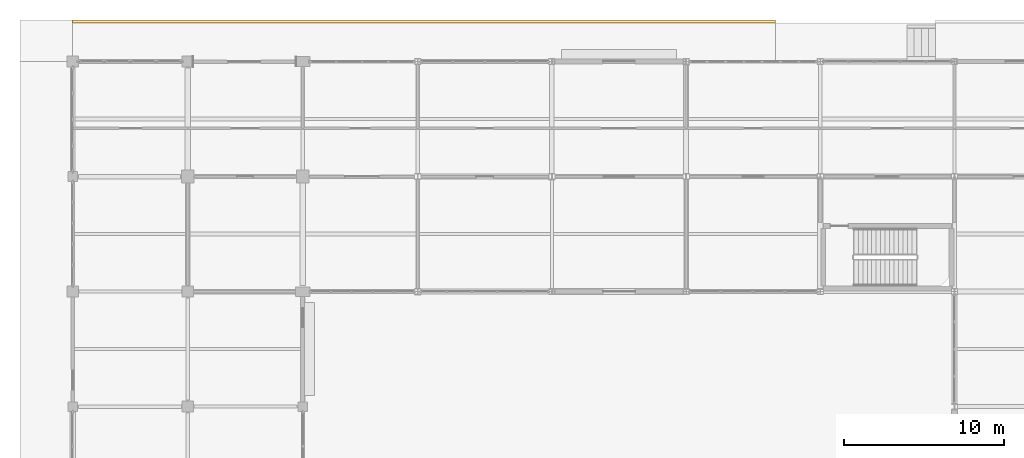
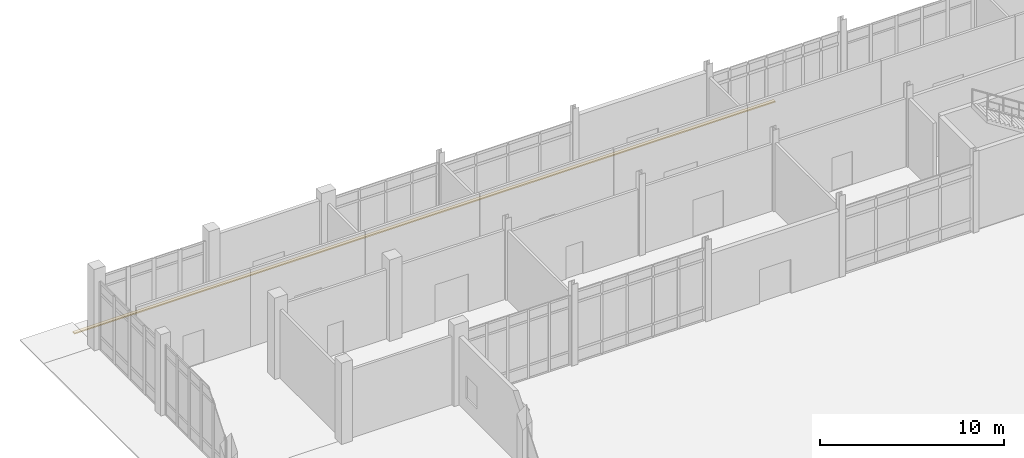
# One storey, part 217 of 229: 1 covering.
"""IFC4 building model written with IfcOpenShell, lengths in metres."""

from ifc_helpers import new_model, si_unit, direction, frame, origin, place, context, subcontext, project, spatial, polyline, outline, extrude, material, layer, layer_set, type_object, element, save


model = new_model("IFC4")

# Units and contexts
model_context = context("Model", 3, precision=1e-05, world=origin(), true_north=direction((0.0, 1.0)))
body_context = subcontext(model_context, "Body", "Model", "MODEL_VIEW")
ifc_project = project(units=[si_unit("LENGTHUNIT", "METRE"), si_unit("AREAUNIT", "SQUARE_METRE"), si_unit("VOLUMEUNIT", "CUBIC_METRE"), si_unit("PLANEANGLEUNIT", "RADIAN"), si_unit("MASSUNIT", "GRAM", prefix="KILO")], contexts=[model_context])

# Site, building, storey
site_placement = place(None, origin())
site = spatial("IfcSite", under=ifc_project, at=site_placement, CompositionType="ELEMENT")
building_placement = place(site_placement, origin())
building = spatial("IfcBuilding", under=site, at=building_placement, Name="Calvrana Isthmian Art Gallery", CompositionType="ELEMENT")
storey_placement = place(building_placement, origin())
storey = spatial("IfcBuildingStorey", under=building, at=storey_placement, Name="L00", CompositionType="ELEMENT", Elevation=0.0)

# Covering
ifc_material = material(Name="Pale Isthmian limestone", Category="masonry")
ifc_layer = layer(ifc_material, 0.080078125, Name="Pale Isthmian limestone")
ifc_layer_set = layer_set([ifc_layer], Name="Pale Isthmian limestone")
covering_type = type_object("IfcCoveringType", Name="COV-SITE-PAVING", PredefinedType="USERDEFINED", material=ifc_layer_set)
covering_placement = place(storey_placement, frame((0.0, 0.0, -0.679931640625)))
element("IfcCovering", 1, at=covering_placement, inside=storey, type_object=covering_type, Name="Stepped hillside grade paving bench PAV_N_MID1", ObjectType="PAVING", PredefinedType="USERDEFINED", context=body_context, shape_type="SweptSolid", body=[
    extrude(outline(polyline([(0.0, 115.197998046875), (44.0, 115.197998046875), (44.0, 115.39990234375), (0.0, 115.39990234375), (0.0, 115.197998046875)])), origin(), (0.0, 0.0, 1.0), 0.079833984375),
])

save(model, "model.ifc")
